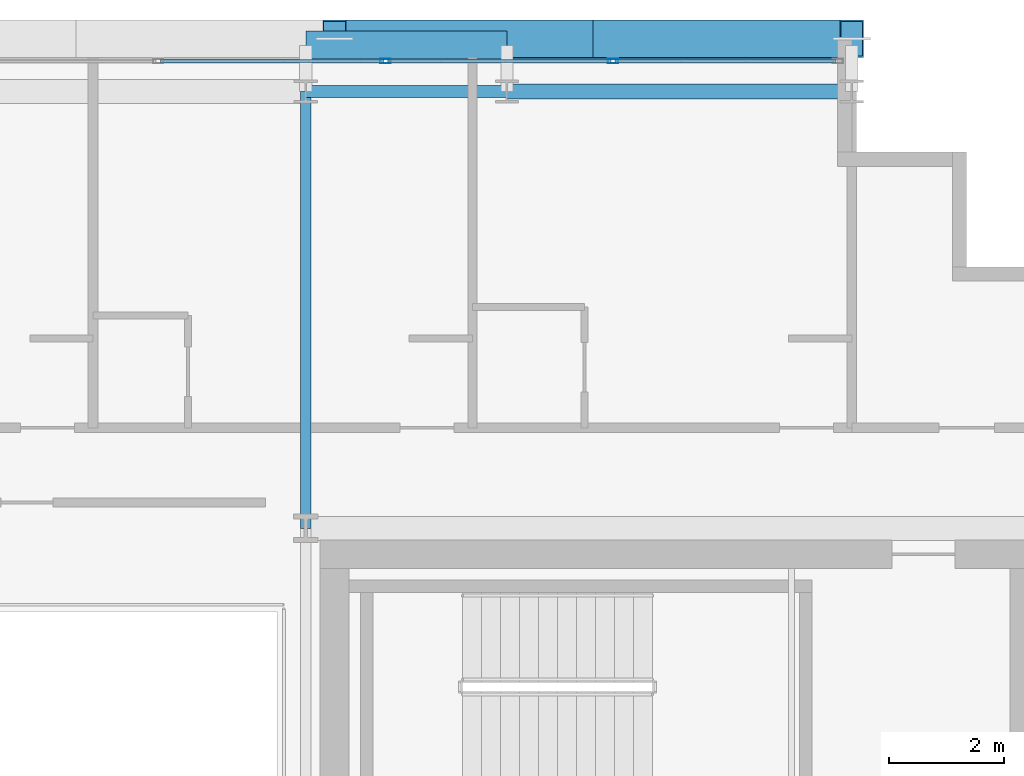
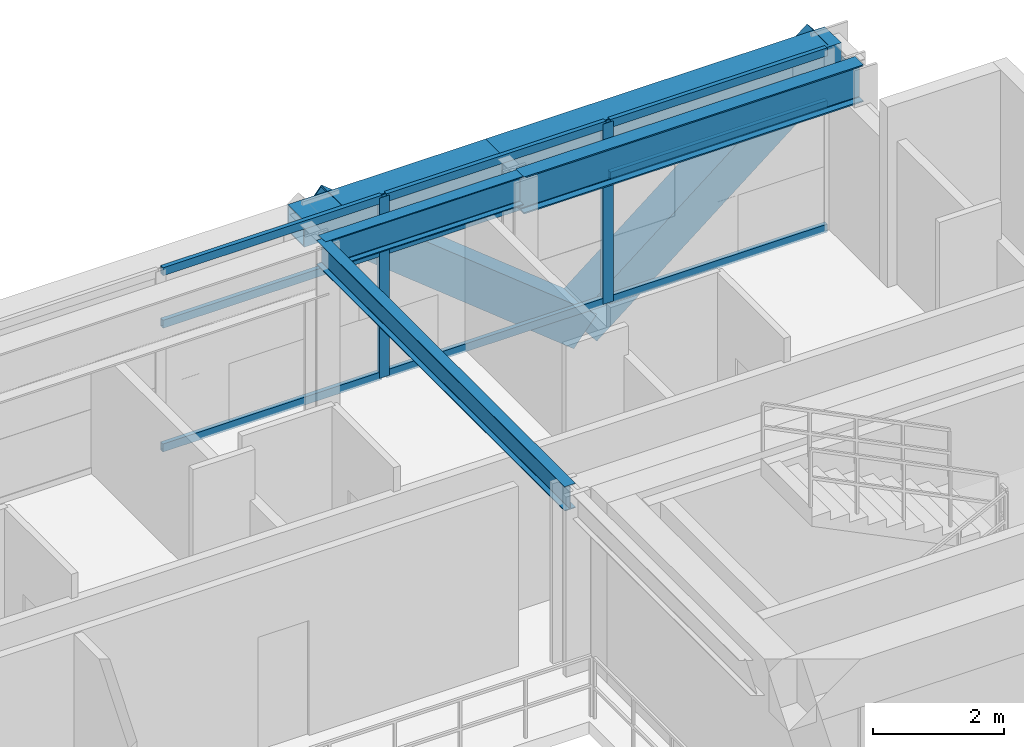
# One storey, part 18 of 32: 13 members, 5 beams, 1 element without a shape of its own.
"""IFC4 building model written with IfcOpenShell, lengths in metres."""

from ifc_helpers import new_model, si_unit, direction, frame, origin, origin_2d, place, context, subcontext, project, spatial, hollow_rectangle, i_section, extrude, source, transform, mapped, material, layer, layer_set, material_profile, profile_set, type_object, element, aggregate, save


model = new_model("IFC4")

# Units and contexts
model_context = context("Model", 3, precision=1e-05, world=origin(), true_north=direction((0.0, 1.0)))
body_context = subcontext(model_context, "Body", "Model", "MODEL_VIEW")
ifc_project = project(units=[si_unit("LENGTHUNIT", "METRE"), si_unit("AREAUNIT", "SQUARE_METRE"), si_unit("VOLUMEUNIT", "CUBIC_METRE"), si_unit("PLANEANGLEUNIT", "RADIAN"), si_unit("MASSUNIT", "GRAM", prefix="KILO")], contexts=[model_context])

# Site, building, storey
site_placement = place(None, origin())
site = spatial("IfcSite", under=ifc_project, at=site_placement, CompositionType="ELEMENT")
building_placement = place(site_placement, origin())
building = spatial("IfcBuilding", under=site, at=building_placement, Name="Ocotamira Hotel", CompositionType="ELEMENT")
storey_placement = place(building_placement, frame((0.0, 0.0, 206.39990234375)))
storey = spatial("IfcBuildingStorey", under=building, at=storey_placement, Name="L52", CompositionType="ELEMENT", Elevation=206.39990234375)

# Beams
ifc_material_1 = material(Name="Steel ASTM A992 Grade 50", Category="steel")
ifc_material_profile_1 = material_profile(ifc_material_1, i_section(OverallWidth=0.256103515625, OverallDepth=0.693115234375, WebThickness=0.014404296875, FlangeThickness=0.023681640625, FilletRadius=0.01611328125, at=origin_2d()), Name="W27X114")
ifc_profile_set_1 = profile_set([ifc_material_profile_1], Name="Steel ASTM A992 Grade 50")
beam_type_1 = type_object("IfcBeamType", Name="BM-PRIM-W27X114", PredefinedType="BEAM", material=ifc_profile_set_1)
shared_shape_1 = source(origin(), body_context, "Body", "SweptSolid", [
    extrude(i_section(OverallWidth=0.256103515625, OverallDepth=0.693115234375, WebThickness=0.014404296875, FlangeThickness=0.023681640625, FilletRadius=0.01611328125, at=origin_2d()), origin(), (0.0, 0.0, 1.0), 6.0),
])
beam_1_placement = place(storey_placement, frame((44.0, 45.050048828125, 3.023681640625), z_axis=(1.0, 0.0, 0.0), x_axis=(0.0, 1.0, 0.0)))
element("IfcBeam", 1, at=beam_1_placement, inside=storey, type_object=beam_type_1, Name="L52 Girder Y45.05 X44-50", PredefinedType="BEAM", context=body_context, shape_type="MappedRepresentation", body=[
    mapped(shared_shape_1, transform((0.0, 0.0, 0.0), scale=1.0)),
])
ifc_material_profile_2 = material_profile(ifc_material_1, i_section(OverallWidth=0.2099609375, OverallDepth=0.537109375, WebThickness=0.010986328125, FlangeThickness=0.017333984375, FilletRadius=0.012939453125, at=origin_2d()), Name="W21X68")
ifc_profile_set_2 = profile_set([ifc_material_profile_2], Name="Steel ASTM A992 Grade 50")
beam_type_2 = type_object("IfcBeamType", Name="BM-SEC-W21X68", PredefinedType="JOIST", material=ifc_profile_set_2)
shared_shape_2 = source(origin(), body_context, "Body", "SweptSolid", [
    extrude(i_section(OverallWidth=0.2099609375, OverallDepth=0.537109375, WebThickness=0.010986328125, FlangeThickness=0.017333984375, FilletRadius=0.012939453125, at=origin_2d()), origin(), (0.0, 0.0, 1.0), 3.5),
])
beam_2_placement = place(storey_placement, frame((40.5, 45.050048828125, 3.1015625), z_axis=(1.0, 0.0, 0.0), x_axis=(0.0, 1.0, 0.0)))
element("IfcBeam", 2, at=beam_2_placement, inside=storey, type_object=beam_type_2, Name="L52 Girder Y45.05 X40.5-44", PredefinedType="JOIST", context=body_context, shape_type="MappedRepresentation", body=[
    mapped(shared_shape_2, transform((0.0, 0.0, 0.0), scale=1.0)),
])
ifc_material_2 = material(Name="Steel ASTM A500 Grade C", Category="steel")
ifc_material_profile_3 = material_profile(ifc_material_2, hollow_rectangle(XDim=0.5, YDim=0.5, WallThickness=0.02001953125, at=origin_2d()), Name="HSS500X500X20")
ifc_profile_set_3 = profile_set([ifc_material_profile_3], Name="Steel ASTM A500 Grade C")
beam_type_3 = type_object("IfcBeamType", Name="BM-SPAN-HSS500", PredefinedType="USERDEFINED", material=ifc_profile_set_3)
shared_shape_3 = source(origin(), body_context, "Body", "SweptSolid", [
    extrude(hollow_rectangle(XDim=0.5, YDim=0.5, WallThickness=0.02001953125, at=origin_2d()), origin(), (0.0, 0.0, 1.0), 6.0),
])
beam_3_placement = place(storey_placement, frame((44.0, 45.85009765625, 3.1201171875), z_axis=(1.0, 0.0, 0.0), x_axis=(0.0, 1.0, 0.0)))
element("IfcBeam", 3, at=beam_3_placement, inside=storey, type_object=beam_type_3, Name="L52 Edge Spandrel N X44-50", ObjectType="SPANDREL", PredefinedType="USERDEFINED", context=body_context, shape_type="MappedRepresentation", body=[
    mapped(shared_shape_3, transform((0.0, 0.0, 0.0), scale=1.0)),
])
shared_shape_4 = source(origin(), body_context, "Body", "SweptSolid", [
    extrude(hollow_rectangle(XDim=0.5, YDim=0.5, WallThickness=0.02001953125, at=origin_2d()), origin(), (0.0, 0.0, 1.0), 3.5),
])
beam_4_placement = place(storey_placement, frame((40.5, 45.85009765625, 3.1201171875), z_axis=(1.0, 0.0, 0.0), x_axis=(0.0, 1.0, 0.0)))
element("IfcBeam", 4, at=beam_4_placement, inside=storey, type_object=beam_type_3, Name="L52 Edge Spandrel N X40.5-44", ObjectType="SPANDREL", PredefinedType="USERDEFINED", context=body_context, shape_type="MappedRepresentation", body=[
    mapped(shared_shape_4, transform((0.0, 0.0, 0.0), scale=1.0)),
])
ifc_material_profile_4 = material_profile(ifc_material_1, i_section(OverallWidth=0.18994140625, OverallDepth=0.45703125, WebThickness=0.009033203125, FlangeThickness=0.014404296875, FilletRadius=0.010009765625, at=origin_2d()), Name="W18X50")
ifc_profile_set_4 = profile_set([ifc_material_profile_4], Name="Steel ASTM A992 Grade 50")
beam_type_4 = type_object("IfcBeamType", Name="BM-SEC-W18X50", PredefinedType="JOIST", material=ifc_profile_set_4)
shared_shape_5 = source(origin(), body_context, "Body", "SweptSolid", [
    extrude(i_section(OverallWidth=0.18994140625, OverallDepth=0.45703125, WebThickness=0.009033203125, FlangeThickness=0.014404296875, FilletRadius=0.010009765625, at=origin_2d()), origin(), (0.0, 0.0, 1.0), 7.60009765625),
])
beam_5_placement = place(storey_placement, frame((40.5, 37.449951171875, 3.1416015625), z_axis=(0.0, 1.0, 0.0), x_axis=(-1.0, 0.0, 0.0)))
element("IfcBeam", 5, at=beam_5_placement, inside=storey, type_object=beam_type_4, Name="L52 Beam X40.5 Y37.45-45.05", PredefinedType="JOIST", context=body_context, shape_type="MappedRepresentation", body=[
    mapped(shared_shape_5, transform((0.0, 0.0, 0.0), scale=1.0)),
])

# Members
ifc_material_3 = material(Name="Pale-metal coated steel ASTM A913 Grade 65", Category="steel")
ifc_material_profile_5 = material_profile(ifc_material_3, hollow_rectangle(XDim=0.64990234375, YDim=0.64990234375, WallThickness=0.02197265625, at=origin_2d()), Name="BOX650X650X22")
ifc_profile_set_5 = profile_set([ifc_material_profile_5], Name="Pale-metal coated steel ASTM A913 Grade 65")
member_type_1 = type_object("IfcMemberType", Name="MEM-EXO-BOX650", PredefinedType="BRACE", material=ifc_profile_set_5)
shared_shape_6 = source(origin(), body_context, "Body", "SweptSolid", [
    extrude(hollow_rectangle(XDim=0.64990234375, YDim=0.64990234375, WallThickness=0.02197265625, at=origin_2d()), origin(), (0.0, 0.0, 1.0), 5.762939453125),
])
for number, where, z_axis, x_axis, name in (
    (6, (45.5, 45.969970703125, -0.47998046875), (-0.780860543151, 0.0, 0.624705380279), (0.0, -1.0, 0.0), "L52 Exoskeleton Diagrid N3.1"),
    (7, (45.5, 45.969970703125, -0.47998046875), (0.780860543151, 0.0, 0.624705380279), (0.0, 1.0, 0.0), "L52 Exoskeleton Diagrid N3.2"),
):
    element("IfcMember", number, at=place(storey_placement, frame(where, z_axis=z_axis, x_axis=x_axis)), inside=storey, type_object=member_type_1, Name=name, PredefinedType="BRACE", context=body_context, shape_type="MappedRepresentation", body=[
        mapped(shared_shape_6, transform((0.0, 0.0, 0.0), scale=1.0)),
    ])

# Curtain wall, members
ifc_material_4 = material(Name="Anodised pale-metal aluminium and solar glass", Category="aluminium")
ifc_layer = layer(ifc_material_4, 0.199951171875)
ifc_layer_set = layer_set([ifc_layer], Name="Anodised pale-metal aluminium and solar glass")
curtain_wall_type = type_object("IfcCurtainWallType", Name="CW-SYS4-Z3", PredefinedType="NOTDEFINED", material=ifc_layer_set)
curtain_wall_placement = place(storey_placement, origin())
curtain_wall = element("IfcCurtainWall", 8, at=curtain_wall_placement, inside=storey, type_object=curtain_wall_type, Name="L52 Curtain Wall CW-4 CW-L52-N", PredefinedType="NOTDEFINED")
ifc_material_5 = material(Name="Anodised pale-metal aluminium 6063-T6", Category="aluminium")
ifc_material_profile_6 = material_profile(ifc_material_5, hollow_rectangle(XDim=0.074951171875, YDim=0.14990234375, WallThickness=0.006103515625, at=origin_2d()), Name="HSS150X75X6")
ifc_profile_set_6 = profile_set([ifc_material_profile_6], Name="Anodised pale-metal aluminium 6063-T6")
member_type_2 = type_object("IfcMemberType", Name="CWT-150X75", PredefinedType="USERDEFINED", material=ifc_profile_set_6)
shared_shape_7 = source(origin(), body_context, "Body", "SweptSolid", [
    extrude(hollow_rectangle(XDim=0.074951171875, YDim=0.14990234375, WallThickness=0.006103515625, at=origin_2d()), origin(), (0.0, 0.0, 1.0), 3.83544921875),
])
member_1_placement = place(storey_placement, frame((45.884521484375, 45.580078125, 0.03759765625), z_axis=(1.0, 0.0, 0.0), x_axis=(0.0, 1.0, 0.0)))
member_1 = element("IfcMember", 9, at=member_1_placement, type_object=member_type_2, Name="CW-4 transom 9.1", ObjectType="TRANSOM", PredefinedType="USERDEFINED", context=body_context, shape_type="MappedRepresentation", body=[
    mapped(shared_shape_7, transform((0.0, 0.0, 0.0), scale=1.0)),
])
member_2_placement = place(storey_placement, frame((45.884521484375, 45.580078125, 2.35009765625), z_axis=(1.0, 0.0, 0.0), x_axis=(0.0, 1.0, 0.0)))
member_2 = element("IfcMember", 10, at=member_2_placement, type_object=member_type_2, Name="CW-4 transom 9.2", ObjectType="TRANSOM", PredefinedType="USERDEFINED", context=body_context, shape_type="MappedRepresentation", body=[
    mapped(shared_shape_7, transform((0.0, 0.0, 0.0), scale=1.0)),
])
member_3_placement = place(storey_placement, frame((45.884521484375, 45.580078125, 3.33251953125), z_axis=(1.0, 0.0, 0.0), x_axis=(0.0, 1.0, 0.0)))
member_3 = element("IfcMember", 11, at=member_3_placement, type_object=member_type_2, Name="CW-4 transom 9.3", ObjectType="TRANSOM", PredefinedType="USERDEFINED", context=body_context, shape_type="MappedRepresentation", body=[
    mapped(shared_shape_7, transform((0.0, 0.0, 0.0), scale=1.0)),
])
shared_shape_8 = source(origin(), body_context, "Body", "SweptSolid", [
    extrude(hollow_rectangle(XDim=0.074951171875, YDim=0.14990234375, WallThickness=0.006103515625, at=origin_2d()), origin(), (0.0, 0.0, 1.0), 3.87548828125),
])
member_4_placement = place(storey_placement, frame((37.973388671875, 45.580078125, 0.03759765625), z_axis=(1.0, 0.0, 0.0), x_axis=(0.0, 1.0, 0.0)))
member_4 = element("IfcMember", 12, at=member_4_placement, type_object=member_type_2, Name="CW-4 transom 7.1", ObjectType="TRANSOM", PredefinedType="USERDEFINED", context=body_context, shape_type="MappedRepresentation", body=[
    mapped(shared_shape_8, transform((0.0, 0.0, 0.0), scale=1.0)),
])
member_5_placement = place(storey_placement, frame((37.973388671875, 45.580078125, 2.35009765625), z_axis=(1.0, 0.0, 0.0), x_axis=(0.0, 1.0, 0.0)))
member_5 = element("IfcMember", 13, at=member_5_placement, type_object=member_type_2, Name="CW-4 transom 7.2", ObjectType="TRANSOM", PredefinedType="USERDEFINED", context=body_context, shape_type="MappedRepresentation", body=[
    mapped(shared_shape_8, transform((0.0, 0.0, 0.0), scale=1.0)),
])
member_6_placement = place(storey_placement, frame((37.973388671875, 45.580078125, 3.33251953125), z_axis=(1.0, 0.0, 0.0), x_axis=(0.0, 1.0, 0.0)))
member_6 = element("IfcMember", 14, at=member_6_placement, type_object=member_type_2, Name="CW-4 transom 7.3", ObjectType="TRANSOM", PredefinedType="USERDEFINED", context=body_context, shape_type="MappedRepresentation", body=[
    mapped(shared_shape_8, transform((0.0, 0.0, 0.0), scale=1.0)),
])
member_7_placement = place(storey_placement, frame((41.928955078125, 45.580078125, 0.03759765625), z_axis=(1.0, 0.0, 0.0), x_axis=(0.0, 1.0, 0.0)))
member_7 = element("IfcMember", 15, at=member_7_placement, type_object=member_type_2, Name="CW-4 transom 8.1", ObjectType="TRANSOM", PredefinedType="USERDEFINED", context=body_context, shape_type="MappedRepresentation", body=[
    mapped(shared_shape_8, transform((0.0, 0.0, 0.0), scale=1.0)),
])
member_8_placement = place(storey_placement, frame((41.928955078125, 45.580078125, 2.35009765625), z_axis=(1.0, 0.0, 0.0), x_axis=(0.0, 1.0, 0.0)))
member_8 = element("IfcMember", 16, at=member_8_placement, type_object=member_type_2, Name="CW-4 transom 8.2", ObjectType="TRANSOM", PredefinedType="USERDEFINED", context=body_context, shape_type="MappedRepresentation", body=[
    mapped(shared_shape_8, transform((0.0, 0.0, 0.0), scale=1.0)),
])
member_9_placement = place(storey_placement, frame((41.928955078125, 45.580078125, 3.33251953125), z_axis=(1.0, 0.0, 0.0), x_axis=(0.0, 1.0, 0.0)))
member_9 = element("IfcMember", 17, at=member_9_placement, type_object=member_type_2, Name="CW-4 transom 8.3", ObjectType="TRANSOM", PredefinedType="USERDEFINED", context=body_context, shape_type="MappedRepresentation", body=[
    mapped(shared_shape_8, transform((0.0, 0.0, 0.0), scale=1.0)),
])
ifc_material_profile_7 = material_profile(ifc_material_5, hollow_rectangle(XDim=0.080078125, YDim=0.179931640625, WallThickness=0.006103515625, at=origin_2d()), Name="HSS180X80X6")
ifc_profile_set_7 = profile_set([ifc_material_profile_7], Name="Anodised pale-metal aluminium 6063-T6")
member_type_3 = type_object("IfcMemberType", Name="CWM-180X75", PredefinedType="MULLION", material=ifc_profile_set_7)
shared_shape_9 = source(origin(), body_context, "Body", "SweptSolid", [
    extrude(hollow_rectangle(XDim=0.080078125, YDim=0.179931640625, WallThickness=0.006103515625, at=origin_2d()), origin(), (0.0, 0.0, 1.0), 3.3701171875),
])
member_10_placement = place(storey_placement, frame((41.888916015625, 45.580078125, 0.0), z_axis=(0.0, 0.0, 1.0), x_axis=(0.0, 1.0, 0.0)))
member_10 = element("IfcMember", 18, at=member_10_placement, type_object=member_type_3, Name="CW-4 mullion 8", PredefinedType="MULLION", context=body_context, shape_type="MappedRepresentation", body=[
    mapped(shared_shape_9, transform((0.0, 0.0, 0.0), scale=1.0)),
])
member_11_placement = place(storey_placement, frame((45.844482421875, 45.580078125, 0.0), z_axis=(0.0, 0.0, 1.0), x_axis=(0.0, 1.0, 0.0)))
member_11 = element("IfcMember", 19, at=member_11_placement, type_object=member_type_3, Name="CW-4 mullion 9", PredefinedType="MULLION", context=body_context, shape_type="MappedRepresentation", body=[
    mapped(shared_shape_9, transform((0.0, 0.0, 0.0), scale=1.0)),
])
aggregate(curtain_wall, [member_10, member_11, member_4, member_5, member_6, member_7, member_8, member_9, member_1, member_2, member_3])

save(model, "model.ifc")
